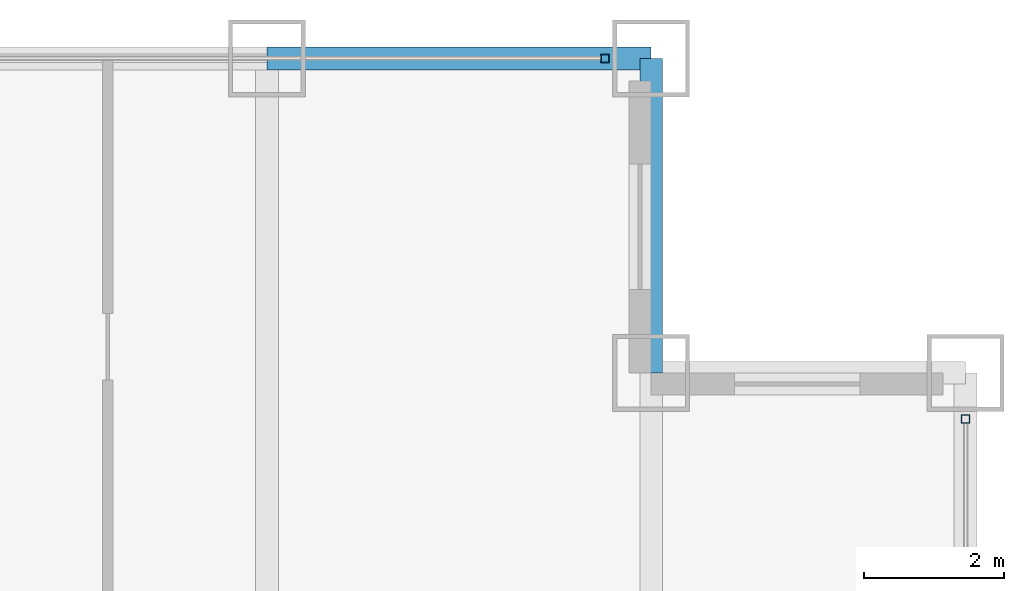
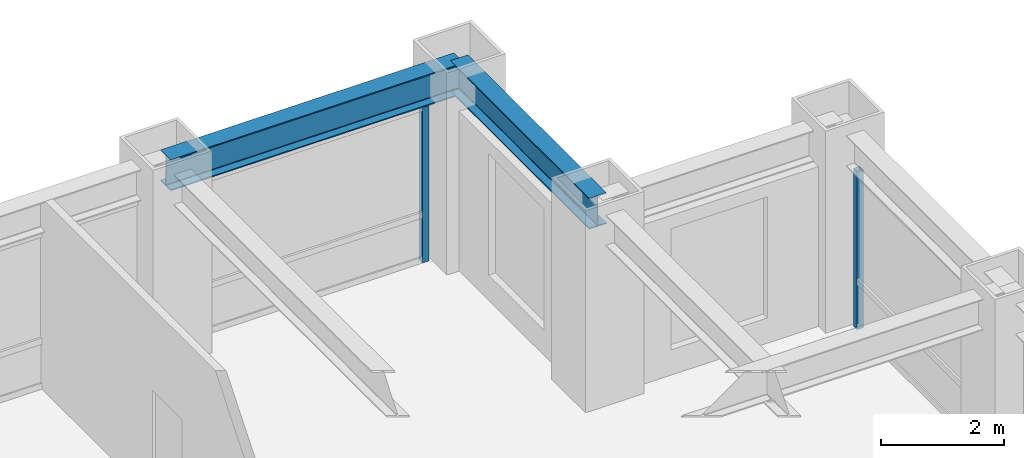
# One storey, part 18 of 25: 2 beams, 2 members, 2 elements without a shape of their own.
"""IFC4 building model written with IfcOpenShell, lengths in metres."""

import ifcopenshell
import ifcopenshell.guid

model = None  # the IFC model being written
_history = None  # IfcOwnerHistory: only IFC2X3 demands one
_inside = {}  # id of a spatial element -> (the spatial element, [elements in it])
_under = {}  # id of a project, library or spatial element -> (it, [spatial elements below it])
_declared = {}  # id of a project -> (the project, [libraries it declares])
_typed = {}  # id of a type object -> (the type object, [elements of that type])
_made_of = {}  # id of a material, layer set ... -> (it, [elements and type objects made of it])


def new_model(schema):
    """Start an empty IFC model of exactly this schema.

    Asked for "IFC4X3", IfcOpenShell would pick the latest addendum, in which some entities
    have other attributes; the version numbers below select the first issue.
    IFC2X3 requires an IfcOwnerHistory on every rooted entity: one is made here for all.
    """
    global model, _history
    if schema == "IFC4X3":
        model = ifcopenshell.file(schema_version=(4, 3, 0, 0))
    else:
        model = ifcopenshell.file(schema=schema)
    _inside.clear()
    _under.clear()
    _declared.clear()
    _typed.clear()
    _made_of.clear()
    _history = None
    if model.schema == "IFC2X3":
        org = make("IfcOrganization", Name="unknown")
        user = make(
            "IfcPersonAndOrganization",
            ThePerson=make("IfcPerson", FamilyName="unknown"),
            TheOrganization=org,
        )
        app = make(
            "IfcApplication",
            ApplicationDeveloper=org,
            Version="unknown",
            ApplicationFullName="unknown",
            ApplicationIdentifier="unknown",
        )
        _history = make(
            "IfcOwnerHistory",
            OwningUser=user,
            OwningApplication=app,
            ChangeAction="ADDED",
            CreationDate=0,
        )
    return model


def make(cls, **values):
    """One entity of the class cls with the attributes given. An attribute that is None is left unset."""
    return model.create_entity(
        cls, **{name: value for name, value in values.items() if value is not None}
    )


def rooted(cls, **values):
    """An entity with a GlobalId (a new one), such as an element, a storey or a relation."""
    return make(cls, GlobalId=ifcopenshell.guid.new(), OwnerHistory=_history, **values)


def si_unit(unit_type, name, prefix=None):
    """IfcSIUnit, for example si_unit("LENGTHUNIT", "METRE", prefix="MILLI")."""
    return make("IfcSIUnit", UnitType=unit_type, Prefix=prefix, Name=name)


def assignment(units):
    """IfcUnitAssignment: the units of a project."""
    return None if units is None else make("IfcUnitAssignment", Units=units)


def point(xyz):
    """IfcCartesianPoint."""
    return None if xyz is None else make("IfcCartesianPoint", Coordinates=xyz)


def direction(xyz):
    """IfcDirection."""
    return None if xyz is None else make("IfcDirection", DirectionRatios=xyz)


def frame(location, z_axis=None, x_axis=None):
    """IfcAxis2Placement3D, a coordinate frame: its origin and axes. An axis left out is left unset."""
    return make(
        "IfcAxis2Placement3D",
        Location=point(location),
        Axis=direction(z_axis),
        RefDirection=direction(x_axis),
    )


def frame_2d(location, x_axis=None):
    """IfcAxis2Placement2D, a coordinate frame in the plane: its origin and x axis."""
    return make(
        "IfcAxis2Placement2D", Location=point(location), RefDirection=direction(x_axis)
    )


def origin():
    """The frame at (0, 0, 0) with its axes left unset."""
    return frame((0.0, 0.0, 0.0))


def origin_2d():
    """The frame at (0, 0) in the plane with its x axis left unset."""
    return frame_2d((0.0, 0.0))


def place(relative_to, where):
    """IfcLocalPlacement: puts the frame where relative to a parent placement (None: the world)."""
    return make(
        "IfcLocalPlacement", PlacementRelTo=relative_to, RelativePlacement=where
    )


def context(
    kind, dimensions, precision=None, world=None, true_north=None, identifier=None
):
    """IfcGeometricRepresentationContext, for example the 3D "Model" context."""
    return make(
        "IfcGeometricRepresentationContext",
        ContextIdentifier=identifier,
        ContextType=kind,
        CoordinateSpaceDimension=dimensions,
        Precision=precision,
        WorldCoordinateSystem=world,
        TrueNorth=true_north,
    )


def subcontext(parent, identifier, kind, view, scale=None):
    """IfcGeometricRepresentationSubContext, for example "Body" below "Model"."""
    return make(
        "IfcGeometricRepresentationSubContext",
        ContextIdentifier=identifier,
        ContextType=kind,
        ParentContext=parent,
        TargetScale=scale,
        TargetView=view,
    )


def project(units=None, contexts=None):
    """IfcProject with its units and contexts."""
    return rooted(
        "IfcProject",
        Name="project",
        RepresentationContexts=contexts,
        UnitsInContext=assignment(units),
    )


def spatial(cls, under=None, at=None, **own):
    """A site, building, storey or space (cls), placed at a placement, below another one or the project."""
    s = rooted(cls, ObjectPlacement=at, **own)
    if under is not None:
        _under.setdefault(under.id(), (under, []))[1].append(s)
    return s


def profile(cls, at=None, kind="AREA", **sizes):
    """A parametric profile (cls). Its sizes go by their IFC names, for example OverallWidth=200.0."""
    return make(cls, ProfileType=kind, Position=at, **sizes)


def hollow_rectangle(**sizes):
    """IfcRectangleHollowProfileDef."""
    return profile("IfcRectangleHollowProfileDef", **sizes)


def i_section(**sizes):
    """IfcIShapeProfileDef."""
    return profile("IfcIShapeProfileDef", **sizes)


def extrude(swept, where, along, depth):
    """IfcExtrudedAreaSolid: the profile swept, set in the frame where, extruded along a direction by depth."""
    return make(
        "IfcExtrudedAreaSolid",
        SweptArea=swept,
        Position=where,
        ExtrudedDirection=direction(along),
        Depth=depth,
    )


def shape(context_of_items, identifier, shape_type, items):
    """IfcShapeRepresentation: the items that make up one representation, for example the "Body"."""
    return make(
        "IfcShapeRepresentation",
        ContextOfItems=context_of_items,
        RepresentationIdentifier=identifier,
        RepresentationType=shape_type,
        Items=items,
    )


def source(mapping_origin, context_of_items, identifier, shape_type, items):
    """IfcRepresentationMap: a shape defined once, which mapped items show again and again."""
    return make(
        "IfcRepresentationMap",
        MappingOrigin=mapping_origin,
        MappedRepresentation=shape(context_of_items, identifier, shape_type, items),
    )


def transform(
    local_origin,
    x_axis=None,
    y_axis=None,
    z_axis=None,
    scale=None,
    scale2=None,
    scale3=None,
    uniform=True,
):
    """IfcCartesianTransformationOperator3D, or its non-uniform kind. x_axis, y_axis, z_axis: its Axis1, 2, 3."""
    if uniform:
        return make(
            "IfcCartesianTransformationOperator3D",
            Axis1=direction(x_axis),
            Axis2=direction(y_axis),
            LocalOrigin=point(local_origin),
            Scale=scale,
            Axis3=direction(z_axis),
        )
    return make(
        "IfcCartesianTransformationOperator3DnonUniform",
        Axis1=direction(x_axis),
        Axis2=direction(y_axis),
        LocalOrigin=point(local_origin),
        Scale=scale,
        Axis3=direction(z_axis),
        Scale2=scale2,
        Scale3=scale3,
    )


def mapped(mapping_source, mapping_target):
    """IfcMappedItem: shows the shape of a source again, moved by a transform."""
    return make(
        "IfcMappedItem", MappingSource=mapping_source, MappingTarget=mapping_target
    )


def material(Name=None, Category=None):
    """IfcMaterial."""
    return make("IfcMaterial", Name=Name, Category=Category)


def material_profile(
    of_material, cross_section, Name=None, Category=None, Priority=None
):
    """IfcMaterialProfile: a cross section and its material."""
    return make(
        "IfcMaterialProfile",
        Name=Name,
        Material=of_material,
        Profile=cross_section,
        Priority=Priority,
        Category=Category,
    )


def profile_set(profiles, Name=None, composite=None):
    """IfcMaterialProfileSet."""
    return make(
        "IfcMaterialProfileSet",
        Name=Name,
        MaterialProfiles=profiles,
        CompositeProfile=composite,
    )


def made_of(thing, what):
    """Note that an element or type object is made of a material, layer set ...; save() writes the relation."""
    if what is not None:
        _made_of.setdefault(what.id(), (what, []))[1].append(thing)
    return thing


def type_object(cls, material=None, **own):
    """A type object (cls), such as IfcWallType, which elements share."""
    return made_of(rooted(cls, **own), material)


def element(
    cls,
    number,
    at=None,
    inside=None,
    cuts=None,
    type_object=None,
    material=None,
    context=None,
    identifier="Body",
    shape_type=None,
    held_by="IfcProductDefinitionShape",
    body=None,
    shapes=None,
    **own,
):
    """One element of the class cls, such as IfcWall. Its Tag is "e" and its number.

    at: its placement. inside: the storey or other place that contains it. cuts: it is an
    opening in that element (IfcRelVoidsElement). A single representation is given by context,
    identifier, shape_type and body (its items); several are given by shapes. held_by: the class
    of the entity that holds the representations. save() writes the other relations.
    """
    e = rooted(cls, Tag="e%d" % number, ObjectPlacement=at, **own)
    if body is not None:
        shapes = [shape(context, identifier, shape_type, body)]
    if shapes is not None:
        e.Representation = make(held_by, Representations=shapes)
    if inside is not None:
        _inside.setdefault(inside.id(), (inside, []))[1].append(e)
    if cuts is not None:
        rooted(
            "IfcRelVoidsElement", RelatingBuildingElement=cuts, RelatedOpeningElement=e
        )
    if type_object is not None:
        _typed.setdefault(type_object.id(), (type_object, []))[1].append(e)
    return made_of(e, material)


def aggregate(whole, parts):
    """IfcRelAggregates: a whole, such as a stair, and the parts it consists of."""
    return rooted("IfcRelAggregates", RelatingObject=whole, RelatedObjects=parts)


def save(model, path):
    """Write the relations noted so far, then the file.

    IfcRelAggregates (storeys below a building ...), IfcRelContainedInSpatialStructure (elements
    in a storey), IfcRelDefinesByType, IfcRelAssociatesMaterial and IfcRelDeclares: one each for
    every whole, place, type object, material and project.
    """
    for whole, parts in _under.values():
        aggregate(whole, parts)
    for where, things in _inside.values():
        rooted(
            "IfcRelContainedInSpatialStructure",
            RelatedElements=things,
            RelatingStructure=where,
        )
    for kind, things in _typed.values():
        rooted("IfcRelDefinesByType", RelatedObjects=things, RelatingType=kind)
    for what, things in _made_of.values():
        rooted("IfcRelAssociatesMaterial", RelatedObjects=things, RelatingMaterial=what)
    for by, libraries in _declared.values():
        rooted("IfcRelDeclares", RelatingContext=by, RelatedDefinitions=libraries)
    model.write(path)


model = new_model("IFC4")

# Units and contexts
model_context = context("Model", 3, precision=1e-05, world=origin(), true_north=direction((0.0, 1.0)))
body_context = subcontext(model_context, "Body", "Model", "MODEL_VIEW")
ifc_project = project(units=[si_unit("LENGTHUNIT", "METRE"), si_unit("AREAUNIT", "SQUARE_METRE"), si_unit("VOLUMEUNIT", "CUBIC_METRE"), si_unit("PLANEANGLEUNIT", "RADIAN"), si_unit("MASSUNIT", "GRAM", prefix="KILO")], contexts=[model_context])

# Site, building, storey
site_placement = place(None, origin())
site = spatial("IfcSite", under=ifc_project, at=site_placement, CompositionType="ELEMENT")
building_placement = place(site_placement, origin())
building = spatial("IfcBuilding", under=site, at=building_placement, Name="Khorayat Bourse Tower", CompositionType="ELEMENT")
storey_placement = place(building_placement, frame((0.0, 0.0, 199.10009765625)))
storey = spatial("IfcBuildingStorey", under=building, at=storey_placement, Name="L46", CompositionType="ELEMENT", Elevation=199.10009765625)

# Beams
ifc_material_1 = material(Name="Steel ASTM A992 Grade 50", Category="steel")
ifc_material_profile_1 = material_profile(ifc_material_1, i_section(OverallWidth=0.324951171875, OverallDepth=0.615966796875, WebThickness=0.013916015625, FlangeThickness=0.021484375, FilletRadius=0.01611328125, at=origin_2d()), Name="W610X174")
ifc_profile_set_1 = profile_set([ifc_material_profile_1], Name="Steel ASTM A992 Grade 50")
beam_type = type_object("IfcBeamType", Name="BM-SPAN-610", PredefinedType="SPANDREL", material=ifc_profile_set_1)
shared_shape_1 = source(origin(), body_context, "Body", "SweptSolid", [
    extrude(i_section(OverallWidth=0.324951171875, OverallDepth=0.615966796875, WebThickness=0.013916015625, FlangeThickness=0.021484375, FilletRadius=0.01611328125, at=origin_2d()), origin(), (0.0, 0.0, 1.0), 5.5),
])
beam_1_placement = place(storey_placement, frame((20.0, 30.0, 3.471923828125), z_axis=(1.0, 0.0, 0.0), x_axis=(0.0, 1.0, 0.0)))
element("IfcBeam", 1, at=beam_1_placement, inside=storey, type_object=beam_type, Name="L46 BM-SPAN-610 BM-L46-SPN-044", PredefinedType="SPANDREL", context=body_context, shape_type="MappedRepresentation", body=[
    mapped(shared_shape_1, transform((0.0, 0.0, 0.0), scale=1.0)),
])
shared_shape_2 = source(origin(), body_context, "Body", "SweptSolid", [
    extrude(i_section(OverallWidth=0.324951171875, OverallDepth=0.615966796875, WebThickness=0.013916015625, FlangeThickness=0.021484375, FilletRadius=0.01611328125, at=origin_2d()), origin(), (0.0, 0.0, 1.0), 4.5),
])
beam_2_placement = place(storey_placement, frame((25.5, 25.5, 3.471923828125), z_axis=(0.0, 1.0, 0.0), x_axis=(-1.0, 0.0, 0.0)))
element("IfcBeam", 2, at=beam_2_placement, inside=storey, type_object=beam_type, Name="L46 BM-SPAN-610 BM-L46-SPN-043", PredefinedType="SPANDREL", context=body_context, shape_type="MappedRepresentation", body=[
    mapped(shared_shape_2, transform((0.0, 0.0, 0.0), scale=1.0)),
])

# Curtain wall, member
ifc_material_2 = material(Name="Aluminium EN AW-6063 T6", Category="aluminium")
curtain_wall_type = type_object("IfcCurtainWallType", Name="CW-SYS-03", PredefinedType="NOTDEFINED", material=ifc_material_2)
curtain_wall_1_placement = place(storey_placement, origin())
curtain_wall_1 = element("IfcCurtainWall", 3, at=curtain_wall_1_placement, inside=storey, type_object=curtain_wall_type, Name="L46 Curtain Wall CW-L46-N1", PredefinedType="NOTDEFINED")
ifc_material_profile_2 = material_profile(ifc_material_2, hollow_rectangle(XDim=0.1201171875, YDim=0.1201171875, WallThickness=0.0048828125, at=origin_2d()), Name="ALU 120x120x5")
ifc_profile_set_2 = profile_set([ifc_material_profile_2], Name="Aluminium EN AW-6063 T6")
member_type = type_object("IfcMemberType", Name="CWM-VERT-120", PredefinedType="MULLION", material=ifc_profile_set_2)
shared_shape_3 = source(origin(), body_context, "Body", "SweptSolid", [
    extrude(hollow_rectangle(XDim=0.1201171875, YDim=0.1201171875, WallThickness=0.0048828125, at=origin_2d()), origin(), (0.0, 0.0, 1.0), 3.1298828125),
])
member_1_placement = place(storey_placement, frame((24.840087890625, 30.0, 0.0), z_axis=(0.0, 0.0, 1.0), x_axis=(0.0, 1.0, 0.0)))
member_1 = element("IfcMember", 4, at=member_1_placement, type_object=member_type, Name="CW-L46-N1 Vertical Mullion 3", PredefinedType="MULLION", context=body_context, shape_type="MappedRepresentation", body=[
    mapped(shared_shape_3, transform((0.0, 0.0, 0.0), scale=1.0)),
])
aggregate(curtain_wall_1, [member_1])

curtain_wall_2_placement = place(storey_placement, origin())
curtain_wall_2 = element("IfcCurtainWall", 5, at=curtain_wall_2_placement, inside=storey, type_object=curtain_wall_type, Name="L46 Curtain Wall CW-L46-E1", PredefinedType="NOTDEFINED")
member_2_placement = place(storey_placement, frame((30.0, 24.840087890625, 0.0), z_axis=(0.0, 0.0, 1.0), x_axis=(-1.0, 0.0, 0.0)))
member_2 = element("IfcMember", 6, at=member_2_placement, type_object=member_type, Name="CW-L46-E1 Vertical Mullion 3", PredefinedType="MULLION", context=body_context, shape_type="MappedRepresentation", body=[
    mapped(shared_shape_3, transform((0.0, 0.0, 0.0), scale=1.0)),
])
aggregate(curtain_wall_2, [member_2])

save(model, "model.ifc")
